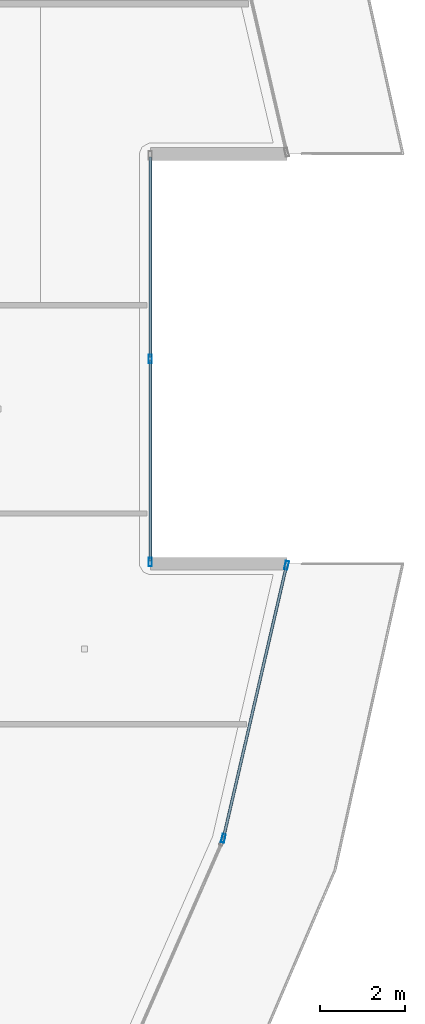
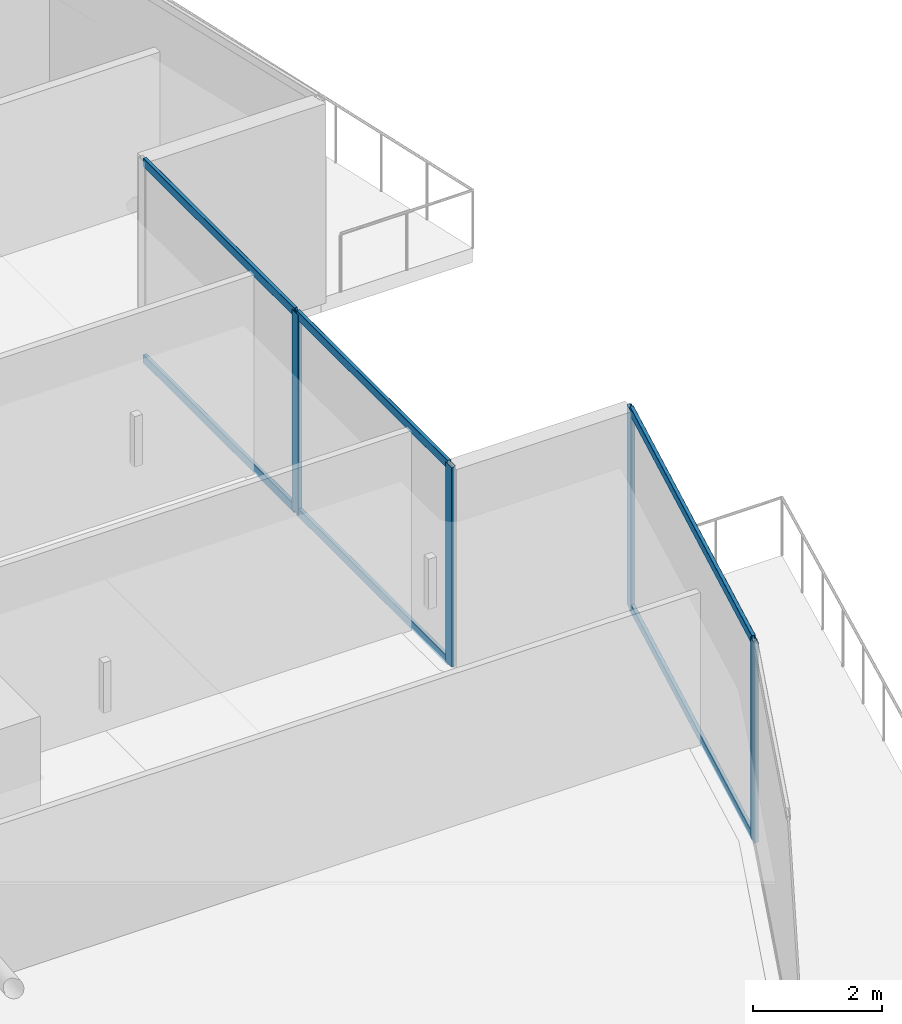
# One storey, part 13 of 39: 10 members, 2 elements without a shape of their own.
"""IFC4 building model written with IfcOpenShell, lengths in metres."""

from ifc_helpers import new_model, si_unit, direction, frame, origin, origin_2d, place, context, subcontext, project, spatial, hollow_rectangle, extrude, material, layer, layer_set, material_profile, profile_set, type_object, element, aggregate, save


model = new_model("IFC4")

# Units and contexts
model_context = context("Model", 3, precision=1e-05, world=origin(), true_north=direction((0.0, 1.0)))
body_context = subcontext(model_context, "Body", "Model", "MODEL_VIEW")
ifc_project = project(units=[si_unit("LENGTHUNIT", "METRE"), si_unit("AREAUNIT", "SQUARE_METRE"), si_unit("VOLUMEUNIT", "CUBIC_METRE"), si_unit("PLANEANGLEUNIT", "RADIAN"), si_unit("MASSUNIT", "GRAM", prefix="KILO")], contexts=[model_context])

# Site, building, storey
site_placement = place(None, origin())
site = spatial("IfcSite", under=ifc_project, at=site_placement, CompositionType="ELEMENT")
building_placement = place(site_placement, origin())
building = spatial("IfcBuilding", under=site, at=building_placement, Name="Qorvath Tower", CompositionType="ELEMENT")
storey_placement = place(building_placement, frame((0.0, 0.0, 154.35009765625)))
storey = spatial("IfcBuildingStorey", under=building, at=storey_placement, Name="L35", CompositionType="ELEMENT", Elevation=154.35009765625)

# Curtain wall, members
ifc_material_1 = material(Name="Anodised aluminium and triple low-E glass", Category="aluminium")
ifc_layer = layer(ifc_material_1, 0.179931640625)
ifc_layer_set = layer_set([ifc_layer], Name="CW-SYS-5")
curtain_wall_type = type_object("IfcCurtainWallType", Name="CW-SYS-5", PredefinedType="NOTDEFINED", material=ifc_layer_set)
curtain_wall_1_placement = place(storey_placement, origin())
curtain_wall_1 = element("IfcCurtainWall", 1, at=curtain_wall_1_placement, inside=storey, type_object=curtain_wall_type, Name="Curtain Wall CW-5 CW-T-L35-7.1", PredefinedType="NOTDEFINED")
ifc_material_2 = material(Name="Anodised aluminium 6063-T6", Category="aluminium")
ifc_material_profile_1 = material_profile(ifc_material_2, hollow_rectangle(XDim=0.074951171875, YDim=0.199951171875, WallThickness=0.00390625, InnerFilletRadius=0.00390625, OuterFilletRadius=0.008056640625, at=origin_2d()), Name="CWM 200x75")
ifc_profile_set_1 = profile_set([ifc_material_profile_1], Name="Anodised aluminium 6063-T6")
member_type_1 = type_object("IfcMemberType", Name="CWM-200", PredefinedType="MULLION", material=ifc_profile_set_1)
member_1_placement = place(storey_placement, frame((2.047607421875, -11.224365234375, 0.0), z_axis=(0.0, 0.0, 1.0), x_axis=(-0.974212877703, 0.225630824395, 0.0)))
member_1 = element("IfcMember", 2, at=member_1_placement, type_object=member_type_1, Name="CW-5 mullion 1", PredefinedType="MULLION", context=body_context, shape_type="SweptSolid", body=[
    extrude(hollow_rectangle(XDim=0.074951171875, YDim=0.199951171875, WallThickness=0.00390625, InnerFilletRadius=0.00390625, OuterFilletRadius=0.008056640625, at=origin_2d()), origin(), (0.0, 0.0, 1.0), 3.77978515625),
])
member_2_placement = place(storey_placement, frame((3.528076171875, -4.831787109375, 0.0), z_axis=(0.0, 0.0, 1.0), x_axis=(-0.974212877703, 0.225630824395, 0.0)))
member_2 = element("IfcMember", 3, at=member_2_placement, type_object=member_type_1, Name="CW-5 mullion 2", PredefinedType="MULLION", context=body_context, shape_type="SweptSolid", body=[
    extrude(hollow_rectangle(XDim=0.074951171875, YDim=0.199951171875, WallThickness=0.00390625, InnerFilletRadius=0.00390625, OuterFilletRadius=0.008056640625, at=origin_2d()), origin(), (0.0, 0.0, 1.0), 3.77978515625),
])

curtain_wall_2_placement = place(storey_placement, origin())
curtain_wall_2 = element("IfcCurtainWall", 4, at=curtain_wall_2_placement, inside=storey, type_object=curtain_wall_type, Name="Curtain Wall CW-5 CW-T-L35-9.1", PredefinedType="NOTDEFINED")
member_3_placement = place(storey_placement, frame((0.33984375, -4.7578125, 0.0), z_axis=(0.0, 0.0, 1.0), x_axis=(-1.0, 0.0, 0.0)))
member_3 = element("IfcMember", 5, at=member_3_placement, type_object=member_type_1, Name="CW-5 mullion 1", PredefinedType="MULLION", context=body_context, shape_type="SweptSolid", body=[
    extrude(hollow_rectangle(XDim=0.074951171875, YDim=0.199951171875, WallThickness=0.00390625, InnerFilletRadius=0.00390625, OuterFilletRadius=0.008056640625, at=origin_2d()), origin(), (0.0, 0.0, 1.0), 3.77978515625),
])
member_4_placement = place(storey_placement, frame((0.33984375, 0.0, 0.0), z_axis=(0.0, 0.0, 1.0), x_axis=(-1.0, 0.0, 0.0)))
member_4 = element("IfcMember", 6, at=member_4_placement, type_object=member_type_1, Name="CW-5 mullion 2", PredefinedType="MULLION", context=body_context, shape_type="SweptSolid", body=[
    extrude(hollow_rectangle(XDim=0.074951171875, YDim=0.199951171875, WallThickness=0.00390625, InnerFilletRadius=0.00390625, OuterFilletRadius=0.008056640625, at=origin_2d()), origin(), (0.0, 0.0, 1.0), 3.77978515625),
])

# Member
ifc_material_3 = material(Name="Anodised aluminium 6063-T6", Category="aluminium")
ifc_material_profile_2 = material_profile(ifc_material_3, hollow_rectangle(XDim=0.06494140625, YDim=0.159912109375, WallThickness=0.00341796875, InnerFilletRadius=0.00341796875, OuterFilletRadius=0.007080078125, at=origin_2d()), Name="CWT 160x65")
ifc_profile_set_2 = profile_set([ifc_material_profile_2], Name="Anodised aluminium 6063-T6")
member_type_2 = type_object("IfcMemberType", Name="CWT-160", PredefinedType="USERDEFINED", material=ifc_profile_set_2)
member_5_placement = place(storey_placement, frame((2.055908203125, -11.18798828125, 0.032470703125), z_axis=(0.225656521927, 0.974206925715, 0.0), x_axis=(-0.974206925715, 0.225656521927, 0.0)))
member_5 = element("IfcMember", 7, at=member_5_placement, type_object=member_type_2, Name="CW-5 transom 1.1", ObjectType="TRANSOM", PredefinedType="USERDEFINED", context=body_context, shape_type="SweptSolid", body=[
    extrude(hollow_rectangle(XDim=0.06494140625, YDim=0.159912109375, WallThickness=0.00341796875, InnerFilletRadius=0.00341796875, OuterFilletRadius=0.007080078125, at=origin_2d()), origin(), (0.0, 0.0, 1.0), 6.487060546875),
])

member_6_placement = place(storey_placement, frame((2.055908203125, -11.18798828125, 3.747314453125), z_axis=(0.225656521927, 0.974206925715, 0.0), x_axis=(-0.974206925715, 0.225656521927, 0.0)))
member_6 = element("IfcMember", 8, at=member_6_placement, type_object=member_type_2, Name="CW-5 transom 1.2", ObjectType="TRANSOM", PredefinedType="USERDEFINED", context=body_context, shape_type="SweptSolid", body=[
    extrude(hollow_rectangle(XDim=0.06494140625, YDim=0.159912109375, WallThickness=0.00341796875, InnerFilletRadius=0.00341796875, OuterFilletRadius=0.007080078125, at=origin_2d()), origin(), (0.0, 0.0, 1.0), 6.487060546875),
])

aggregate(curtain_wall_1, [member_1, member_2, member_5, member_6])

member_7_placement = place(storey_placement, frame((0.33984375, -4.72021484375, 0.032470703125), z_axis=(0.0, 1.0, 0.0), x_axis=(-1.0, 0.0, 0.0)))
member_7 = element("IfcMember", 9, at=member_7_placement, type_object=member_type_2, Name="CW-5 transom 1.1", ObjectType="TRANSOM", PredefinedType="USERDEFINED", context=body_context, shape_type="SweptSolid", body=[
    extrude(hollow_rectangle(XDim=0.06494140625, YDim=0.159912109375, WallThickness=0.00341796875, InnerFilletRadius=0.00341796875, OuterFilletRadius=0.007080078125, at=origin_2d()), origin(), (0.0, 0.0, 1.0), 4.6826171875),
])

member_8_placement = place(storey_placement, frame((0.33984375, -4.72021484375, 3.747314453125), z_axis=(0.0, 1.0, 0.0), x_axis=(-1.0, 0.0, 0.0)))
member_8 = element("IfcMember", 10, at=member_8_placement, type_object=member_type_2, Name="CW-5 transom 1.2", ObjectType="TRANSOM", PredefinedType="USERDEFINED", context=body_context, shape_type="SweptSolid", body=[
    extrude(hollow_rectangle(XDim=0.06494140625, YDim=0.159912109375, WallThickness=0.00341796875, InnerFilletRadius=0.00341796875, OuterFilletRadius=0.007080078125, at=origin_2d()), origin(), (0.0, 0.0, 1.0), 4.6826171875),
])

member_9_placement = place(storey_placement, frame((0.33984375, 0.03759765625, 0.032470703125), z_axis=(0.0, 1.0, 0.0), x_axis=(-1.0, 0.0, 0.0)))
member_9 = element("IfcMember", 11, at=member_9_placement, type_object=member_type_2, Name="CW-5 transom 2.1", ObjectType="TRANSOM", PredefinedType="USERDEFINED", context=body_context, shape_type="SweptSolid", body=[
    extrude(hollow_rectangle(XDim=0.06494140625, YDim=0.159912109375, WallThickness=0.00341796875, InnerFilletRadius=0.00341796875, OuterFilletRadius=0.007080078125, at=origin_2d()), origin(), (0.0, 0.0, 1.0), 4.6826171875),
])

member_10_placement = place(storey_placement, frame((0.33984375, 0.03759765625, 3.747314453125), z_axis=(0.0, 1.0, 0.0), x_axis=(-1.0, 0.0, 0.0)))
member_10 = element("IfcMember", 12, at=member_10_placement, type_object=member_type_2, Name="CW-5 transom 2.2", ObjectType="TRANSOM", PredefinedType="USERDEFINED", context=body_context, shape_type="SweptSolid", body=[
    extrude(hollow_rectangle(XDim=0.06494140625, YDim=0.159912109375, WallThickness=0.00341796875, InnerFilletRadius=0.00341796875, OuterFilletRadius=0.007080078125, at=origin_2d()), origin(), (0.0, 0.0, 1.0), 4.6826171875),
])

aggregate(curtain_wall_2, [member_3, member_4, member_7, member_8, member_9, member_10])

save(model, "model.ifc")
